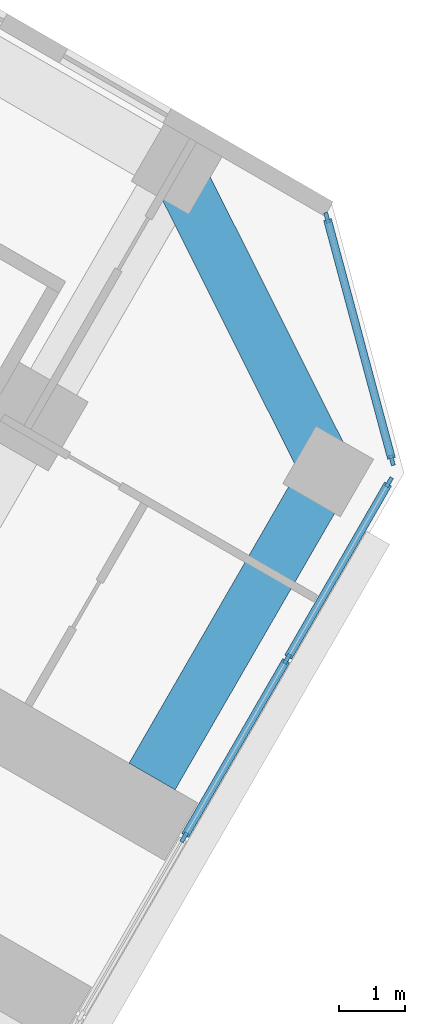
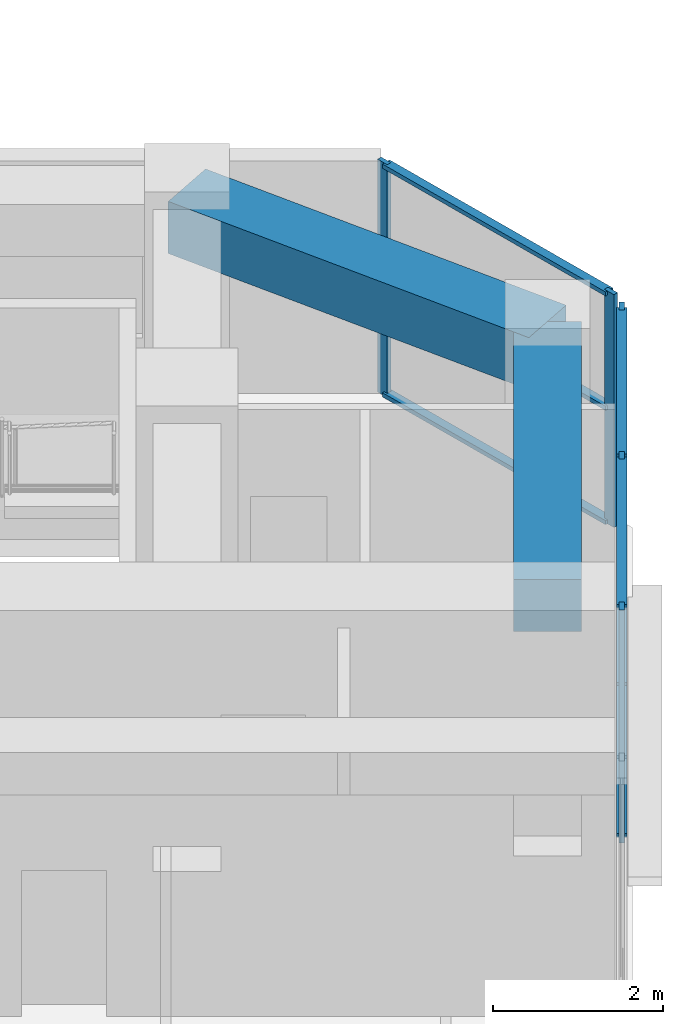
# One storey, part 8 of 21: 12 members, 2 beams, 2 elements without a shape of their own.
"""IFC4 building model written with IfcOpenShell, lengths in metres."""

import ifcopenshell
import ifcopenshell.guid

model = None  # the IFC model being written
_history = None  # IfcOwnerHistory: only IFC2X3 demands one
_inside = {}  # id of a spatial element -> (the spatial element, [elements in it])
_under = {}  # id of a project, library or spatial element -> (it, [spatial elements below it])
_declared = {}  # id of a project -> (the project, [libraries it declares])
_typed = {}  # id of a type object -> (the type object, [elements of that type])
_made_of = {}  # id of a material, layer set ... -> (it, [elements and type objects made of it])


def new_model(schema):
    """Start an empty IFC model of exactly this schema.

    Asked for "IFC4X3", IfcOpenShell would pick the latest addendum, in which some entities
    have other attributes; the version numbers below select the first issue.
    IFC2X3 requires an IfcOwnerHistory on every rooted entity: one is made here for all.
    """
    global model, _history
    if schema == "IFC4X3":
        model = ifcopenshell.file(schema_version=(4, 3, 0, 0))
    else:
        model = ifcopenshell.file(schema=schema)
    _inside.clear()
    _under.clear()
    _declared.clear()
    _typed.clear()
    _made_of.clear()
    _history = None
    if model.schema == "IFC2X3":
        org = make("IfcOrganization", Name="unknown")
        user = make(
            "IfcPersonAndOrganization",
            ThePerson=make("IfcPerson", FamilyName="unknown"),
            TheOrganization=org,
        )
        app = make(
            "IfcApplication",
            ApplicationDeveloper=org,
            Version="unknown",
            ApplicationFullName="unknown",
            ApplicationIdentifier="unknown",
        )
        _history = make(
            "IfcOwnerHistory",
            OwningUser=user,
            OwningApplication=app,
            ChangeAction="ADDED",
            CreationDate=0,
        )
    return model


def make(cls, **values):
    """One entity of the class cls with the attributes given. An attribute that is None is left unset."""
    return model.create_entity(
        cls, **{name: value for name, value in values.items() if value is not None}
    )


def rooted(cls, **values):
    """An entity with a GlobalId (a new one), such as an element, a storey or a relation."""
    return make(cls, GlobalId=ifcopenshell.guid.new(), OwnerHistory=_history, **values)


def si_unit(unit_type, name, prefix=None):
    """IfcSIUnit, for example si_unit("LENGTHUNIT", "METRE", prefix="MILLI")."""
    return make("IfcSIUnit", UnitType=unit_type, Prefix=prefix, Name=name)


def assignment(units):
    """IfcUnitAssignment: the units of a project."""
    return None if units is None else make("IfcUnitAssignment", Units=units)


def point(xyz):
    """IfcCartesianPoint."""
    return None if xyz is None else make("IfcCartesianPoint", Coordinates=xyz)


def direction(xyz):
    """IfcDirection."""
    return None if xyz is None else make("IfcDirection", DirectionRatios=xyz)


def frame(location, z_axis=None, x_axis=None):
    """IfcAxis2Placement3D, a coordinate frame: its origin and axes. An axis left out is left unset."""
    return make(
        "IfcAxis2Placement3D",
        Location=point(location),
        Axis=direction(z_axis),
        RefDirection=direction(x_axis),
    )


def frame_2d(location, x_axis=None):
    """IfcAxis2Placement2D, a coordinate frame in the plane: its origin and x axis."""
    return make(
        "IfcAxis2Placement2D", Location=point(location), RefDirection=direction(x_axis)
    )


def origin():
    """The frame at (0, 0, 0) with its axes left unset."""
    return frame((0.0, 0.0, 0.0))


def origin_2d():
    """The frame at (0, 0) in the plane with its x axis left unset."""
    return frame_2d((0.0, 0.0))


def place(relative_to, where):
    """IfcLocalPlacement: puts the frame where relative to a parent placement (None: the world)."""
    return make(
        "IfcLocalPlacement", PlacementRelTo=relative_to, RelativePlacement=where
    )


def context(
    kind, dimensions, precision=None, world=None, true_north=None, identifier=None
):
    """IfcGeometricRepresentationContext, for example the 3D "Model" context."""
    return make(
        "IfcGeometricRepresentationContext",
        ContextIdentifier=identifier,
        ContextType=kind,
        CoordinateSpaceDimension=dimensions,
        Precision=precision,
        WorldCoordinateSystem=world,
        TrueNorth=true_north,
    )


def subcontext(parent, identifier, kind, view, scale=None):
    """IfcGeometricRepresentationSubContext, for example "Body" below "Model"."""
    return make(
        "IfcGeometricRepresentationSubContext",
        ContextIdentifier=identifier,
        ContextType=kind,
        ParentContext=parent,
        TargetScale=scale,
        TargetView=view,
    )


def project(units=None, contexts=None):
    """IfcProject with its units and contexts."""
    return rooted(
        "IfcProject",
        Name="project",
        RepresentationContexts=contexts,
        UnitsInContext=assignment(units),
    )


def spatial(cls, under=None, at=None, **own):
    """A site, building, storey or space (cls), placed at a placement, below another one or the project."""
    s = rooted(cls, ObjectPlacement=at, **own)
    if under is not None:
        _under.setdefault(under.id(), (under, []))[1].append(s)
    return s


def profile(cls, at=None, kind="AREA", **sizes):
    """A parametric profile (cls). Its sizes go by their IFC names, for example OverallWidth=200.0."""
    return make(cls, ProfileType=kind, Position=at, **sizes)


def rectangle(**sizes):
    """IfcRectangleProfileDef."""
    return profile("IfcRectangleProfileDef", **sizes)


def extrude(swept, where, along, depth):
    """IfcExtrudedAreaSolid: the profile swept, set in the frame where, extruded along a direction by depth."""
    return make(
        "IfcExtrudedAreaSolid",
        SweptArea=swept,
        Position=where,
        ExtrudedDirection=direction(along),
        Depth=depth,
    )


def shape(context_of_items, identifier, shape_type, items):
    """IfcShapeRepresentation: the items that make up one representation, for example the "Body"."""
    return make(
        "IfcShapeRepresentation",
        ContextOfItems=context_of_items,
        RepresentationIdentifier=identifier,
        RepresentationType=shape_type,
        Items=items,
    )


def material(Name=None, Category=None):
    """IfcMaterial."""
    return make("IfcMaterial", Name=Name, Category=Category)


def material_profile(
    of_material, cross_section, Name=None, Category=None, Priority=None
):
    """IfcMaterialProfile: a cross section and its material."""
    return make(
        "IfcMaterialProfile",
        Name=Name,
        Material=of_material,
        Profile=cross_section,
        Priority=Priority,
        Category=Category,
    )


def profile_set(profiles, Name=None, composite=None):
    """IfcMaterialProfileSet."""
    return make(
        "IfcMaterialProfileSet",
        Name=Name,
        MaterialProfiles=profiles,
        CompositeProfile=composite,
    )


def made_of(thing, what):
    """Note that an element or type object is made of a material, layer set ...; save() writes the relation."""
    if what is not None:
        _made_of.setdefault(what.id(), (what, []))[1].append(thing)
    return thing


def type_object(cls, material=None, **own):
    """A type object (cls), such as IfcWallType, which elements share."""
    return made_of(rooted(cls, **own), material)


def element(
    cls,
    number,
    at=None,
    inside=None,
    cuts=None,
    type_object=None,
    material=None,
    context=None,
    identifier="Body",
    shape_type=None,
    held_by="IfcProductDefinitionShape",
    body=None,
    shapes=None,
    **own,
):
    """One element of the class cls, such as IfcWall. Its Tag is "e" and its number.

    at: its placement. inside: the storey or other place that contains it. cuts: it is an
    opening in that element (IfcRelVoidsElement). A single representation is given by context,
    identifier, shape_type and body (its items); several are given by shapes. held_by: the class
    of the entity that holds the representations. save() writes the other relations.
    """
    e = rooted(cls, Tag="e%d" % number, ObjectPlacement=at, **own)
    if body is not None:
        shapes = [shape(context, identifier, shape_type, body)]
    if shapes is not None:
        e.Representation = make(held_by, Representations=shapes)
    if inside is not None:
        _inside.setdefault(inside.id(), (inside, []))[1].append(e)
    if cuts is not None:
        rooted(
            "IfcRelVoidsElement", RelatingBuildingElement=cuts, RelatedOpeningElement=e
        )
    if type_object is not None:
        _typed.setdefault(type_object.id(), (type_object, []))[1].append(e)
    return made_of(e, material)


def aggregate(whole, parts):
    """IfcRelAggregates: a whole, such as a stair, and the parts it consists of."""
    return rooted("IfcRelAggregates", RelatingObject=whole, RelatedObjects=parts)


def save(model, path):
    """Write the relations noted so far, then the file.

    IfcRelAggregates (storeys below a building ...), IfcRelContainedInSpatialStructure (elements
    in a storey), IfcRelDefinesByType, IfcRelAssociatesMaterial and IfcRelDeclares: one each for
    every whole, place, type object, material and project.
    """
    for whole, parts in _under.values():
        aggregate(whole, parts)
    for where, things in _inside.values():
        rooted(
            "IfcRelContainedInSpatialStructure",
            RelatedElements=things,
            RelatingStructure=where,
        )
    for kind, things in _typed.values():
        rooted("IfcRelDefinesByType", RelatedObjects=things, RelatingType=kind)
    for what, things in _made_of.values():
        rooted("IfcRelAssociatesMaterial", RelatedObjects=things, RelatingMaterial=what)
    for by, libraries in _declared.values():
        rooted("IfcRelDeclares", RelatingContext=by, RelatedDefinitions=libraries)
    model.write(path)


model = new_model("IFC4")

# Units and contexts
model_context = context("Model", 3, precision=1e-05, world=origin(), true_north=direction((0.0, 1.0)))
body_context = subcontext(model_context, "Body", "Model", "MODEL_VIEW")
ifc_project = project(units=[si_unit("LENGTHUNIT", "METRE"), si_unit("AREAUNIT", "SQUARE_METRE"), si_unit("VOLUMEUNIT", "CUBIC_METRE"), si_unit("PLANEANGLEUNIT", "RADIAN"), si_unit("MASSUNIT", "GRAM", prefix="KILO")], contexts=[model_context])

# Site, building, storey
site_placement = place(None, origin())
site = spatial("IfcSite", under=ifc_project, at=site_placement, CompositionType="ELEMENT")
building_placement = place(site_placement, origin())
building = spatial("IfcBuilding", under=site, at=building_placement, Name="Kosmar Iwan School Tower", CompositionType="ELEMENT")
storey_placement = place(building_placement, frame((0.0, 0.0, 64.60009765625)))
storey = spatial("IfcBuildingStorey", under=building, at=storey_placement, Name="L15", CompositionType="ELEMENT", Elevation=64.60009765625)

# Curtain wall, members
ifc_material_1 = material(Name="Dark glass in black aluminium frame", Category="aluminium")
curtain_wall_type_1 = type_object("IfcCurtainWallType", Name="Tower curtain wall dark glass", PredefinedType="USERDEFINED", material=ifc_material_1)
curtain_wall_1_placement = place(storey_placement, origin())
curtain_wall_1 = element("IfcCurtainWall", 1, at=curtain_wall_1_placement, inside=storey, type_object=curtain_wall_type_1, Name="Curtain wall L15-F03", ObjectType="UNITISED CURTAIN WALL", PredefinedType="USERDEFINED")
ifc_material_2 = material(Name="Black anodised aluminium", Category="aluminium")
ifc_material_profile_1 = material_profile(ifc_material_2, rectangle(XDim=0.06005859375, YDim=0.159912109375, at=origin_2d()), Name="MULLION 60x160")
ifc_profile_set_1 = profile_set([ifc_material_profile_1], Name="Black anodised aluminium")
member_type_1 = type_object("IfcMemberType", Name="Mullion 60x160", PredefinedType="MULLION", material=ifc_profile_set_1)
member_1_placement = place(storey_placement, frame((30.631103515625, -15.8955078125, 0.0), z_axis=(0.0, 0.0, 1.0), x_axis=(-0.866025405329, 0.499999997325, 0.0)))
member_1 = element("IfcMember", 2, at=member_1_placement, type_object=member_type_1, Name="CW1 mullion 4", PredefinedType="MULLION", context=body_context, shape_type="SweptSolid", body=[
    extrude(rectangle(XDim=0.06005859375, YDim=0.159912109375, at=origin_2d()), origin(), (0.0, 0.0, 1.0), 3.349853515625),
])
member_2_placement = place(storey_placement, frame((32.1806640625, -13.21142578125, 0.0), z_axis=(0.0, 0.0, 1.0), x_axis=(-0.866025405329, 0.499999997325, 0.0)))
member_2 = element("IfcMember", 3, at=member_2_placement, type_object=member_type_1, Name="CW1 mullion 5", PredefinedType="MULLION", context=body_context, shape_type="SweptSolid", body=[
    extrude(rectangle(XDim=0.06005859375, YDim=0.159912109375, at=origin_2d()), origin(), (0.0, 0.0, 1.0), 3.349853515625),
])
member_3_placement = place(storey_placement, frame((33.71533203125, -10.55322265625, 0.0), z_axis=(0.0, 0.0, 1.0), x_axis=(-0.866025405329, 0.499999997325, 0.0)))
member_3 = element("IfcMember", 4, at=member_3_placement, type_object=member_type_1, Name="CW1 mullion 6", PredefinedType="MULLION", context=body_context, shape_type="SweptSolid", body=[
    extrude(rectangle(XDim=0.06005859375, YDim=0.159912109375, at=origin_2d()), origin(), (0.0, 0.0, 1.0), 3.349853515625),
])

ifc_material_3 = material(Name="Dark glass in black aluminium frame", Category="aluminium")
curtain_wall_type_2 = type_object("IfcCurtainWallType", Name="Chamfer curtain wall dark glass", PredefinedType="USERDEFINED", material=ifc_material_3)
curtain_wall_2_placement = place(storey_placement, origin())
curtain_wall_2 = element("IfcCurtainWall", 5, at=curtain_wall_2_placement, inside=storey, type_object=curtain_wall_type_2, Name="Curtain wall L15-F04", ObjectType="FACETED CURTAIN WALL", PredefinedType="USERDEFINED")
member_4_placement = place(storey_placement, frame((33.7587890625, -10.2236328125, 0.0), z_axis=(0.0, 0.0, 1.0), x_axis=(-0.965925875495, -0.258818861462, 0.0)))
member_4 = element("IfcMember", 6, at=member_4_placement, type_object=member_type_1, Name="CW2 mullion 1", PredefinedType="MULLION", context=body_context, shape_type="SweptSolid", body=[
    extrude(rectangle(XDim=0.06005859375, YDim=0.159912109375, at=origin_2d()), origin(), (0.0, 0.0, 1.0), 3.349853515625),
])
member_5_placement = place(storey_placement, frame((32.78076171875, -6.5732421875, 0.0), z_axis=(0.0, 0.0, 1.0), x_axis=(-0.965925875495, -0.258818861462, 0.0)))
member_5 = element("IfcMember", 7, at=member_5_placement, type_object=member_type_1, Name="CW2 mullion 2", PredefinedType="MULLION", context=body_context, shape_type="SweptSolid", body=[
    extrude(rectangle(XDim=0.06005859375, YDim=0.159912109375, at=origin_2d()), origin(), (0.0, 0.0, 1.0), 3.349853515625),
])

# Beams
ifc_material_4 = material(Name="Concrete C50/60", Category="concrete")
ifc_material_profile_2 = material_profile(ifc_material_4, rectangle(XDim=0.800048828125, YDim=0.75, at=origin_2d()), Name="RC 800x750")
ifc_profile_set_2 = profile_set([ifc_material_profile_2], Name="Concrete C50/60")
beam_type = type_object("IfcBeamType", Name="RC tip beam 800x750", PredefinedType="BEAM", material=ifc_profile_set_2)
beam_1_placement = place(storey_placement, frame((30.517822265625, -5.841552734375, 2.974853515625), z_axis=(0.44809604203, -0.893985423325, 0.0), x_axis=(0.893985423325, 0.44809604203, 0.0)))
element("IfcBeam", 8, at=beam_1_placement, inside=storey, type_object=beam_type, Name="Tip beam CL", PredefinedType="BEAM", context=body_context, shape_type="SweptSolid", body=[
    extrude(rectangle(XDim=0.800048828125, YDim=0.75, at=origin_2d()), origin(), (0.0, 0.0, 1.0), 5.08935546875),
])
beam_2_placement = place(storey_placement, frame((32.79833984375, -10.391357421875, 2.974853515625), z_axis=(-0.499973660256, -0.866040610509, 0.0), x_axis=(0.866040610509, -0.499973660256, 0.0)))
element("IfcBeam", 9, at=beam_2_placement, inside=storey, type_object=beam_type, Name="Tip beam CL to corridor wall", PredefinedType="BEAM", context=body_context, shape_type="SweptSolid", body=[
    extrude(rectangle(XDim=0.800048828125, YDim=0.75, at=origin_2d()), origin(), (0.0, 0.0, 1.0), 5.300048828125),
])

# Member
ifc_material_5 = material(Name="Black anodised aluminium", Category="aluminium")
ifc_material_profile_3 = material_profile(ifc_material_5, rectangle(XDim=0.1201171875, YDim=0.06005859375, at=origin_2d()), Name="TRANSOM 60x120")
ifc_profile_set_3 = profile_set([ifc_material_profile_3], Name="Black anodised aluminium")
member_type_2 = type_object("IfcMemberType", Name="Transom 60x120", PredefinedType="USERDEFINED", material=ifc_profile_set_3)
member_6_placement = place(storey_placement, frame((30.64599609375, -15.869384765625, 0.02978515625), z_axis=(0.500035348339, 0.866004994449, 0.0), x_axis=(-0.866004994449, 0.500035348339, 0.0)))
member_6 = element("IfcMember", 10, at=member_6_placement, type_object=member_type_2, Name="CW1 transom 4.1", ObjectType="TRANSOM", PredefinedType="USERDEFINED", context=body_context, shape_type="SweptSolid", body=[
    extrude(rectangle(XDim=0.1201171875, YDim=0.06005859375, at=origin_2d()), origin(), (0.0, 0.0, 1.0), 3.039306640625),
])

member_7_placement = place(storey_placement, frame((30.64599609375, -15.869384765625, 3.31982421875), z_axis=(0.500035348339, 0.866004994449, 0.0), x_axis=(-0.866004994449, 0.500035348339, 0.0)))
member_7 = element("IfcMember", 11, at=member_7_placement, type_object=member_type_2, Name="CW1 transom 4.2", ObjectType="TRANSOM", PredefinedType="USERDEFINED", context=body_context, shape_type="SweptSolid", body=[
    extrude(rectangle(XDim=0.1201171875, YDim=0.06005859375, at=origin_2d()), origin(), (0.0, 0.0, 1.0), 3.039306640625),
])

member_8_placement = place(storey_placement, frame((32.19580078125, -13.185302734375, 0.02978515625), z_axis=(0.500022102064, 0.866012642776, 0.0), x_axis=(-0.866012642776, 0.500022102064, 0.0)))
member_8 = element("IfcMember", 12, at=member_8_placement, type_object=member_type_2, Name="CW1 transom 5.1", ObjectType="TRANSOM", PredefinedType="USERDEFINED", context=body_context, shape_type="SweptSolid", body=[
    extrude(rectangle(XDim=0.1201171875, YDim=0.06005859375, at=origin_2d()), origin(), (0.0, 0.0, 1.0), 3.009033203125),
])

member_9_placement = place(storey_placement, frame((32.19580078125, -13.185302734375, 3.31982421875), z_axis=(0.500022102064, 0.866012642776, 0.0), x_axis=(-0.866012642776, 0.500022102064, 0.0)))
member_9 = element("IfcMember", 13, at=member_9_placement, type_object=member_type_2, Name="CW1 transom 5.2", ObjectType="TRANSOM", PredefinedType="USERDEFINED", context=body_context, shape_type="SweptSolid", body=[
    extrude(rectangle(XDim=0.1201171875, YDim=0.06005859375, at=origin_2d()), origin(), (0.0, 0.0, 1.0), 3.009033203125),
])

aggregate(curtain_wall_1, [member_1, member_2, member_3, member_6, member_7, member_8, member_9])

member_10_placement = place(storey_placement, frame((33.7509765625, -10.194580078125, 0.02978515625), z_axis=(-0.258843273983, 0.965919333854, 0.0), x_axis=(-0.965919333854, -0.258843273983, 0.0)))
member_10 = element("IfcMember", 14, at=member_10_placement, type_object=member_type_2, Name="CW2 transom 1.1", ObjectType="TRANSOM", PredefinedType="USERDEFINED", context=body_context, shape_type="SweptSolid", body=[
    extrude(rectangle(XDim=0.1201171875, YDim=0.06005859375, at=origin_2d()), origin(), (0.0, 0.0, 1.0), 3.718994140625),
])

member_11_placement = place(storey_placement, frame((33.7509765625, -10.194580078125, 1.6748046875), z_axis=(-0.258843273983, 0.965919333854, 0.0), x_axis=(-0.965919333854, -0.258843273983, 0.0)))
member_11 = element("IfcMember", 15, at=member_11_placement, type_object=member_type_2, Name="CW2 transom 1.2", ObjectType="TRANSOM", PredefinedType="USERDEFINED", context=body_context, shape_type="SweptSolid", body=[
    extrude(rectangle(XDim=0.1201171875, YDim=0.06005859375, at=origin_2d()), origin(), (0.0, 0.0, 1.0), 3.718994140625),
])

member_12_placement = place(storey_placement, frame((33.7509765625, -10.194580078125, 3.31982421875), z_axis=(-0.258843273983, 0.965919333854, 0.0), x_axis=(-0.965919333854, -0.258843273983, 0.0)))
member_12 = element("IfcMember", 16, at=member_12_placement, type_object=member_type_2, Name="CW2 transom 1.3", ObjectType="TRANSOM", PredefinedType="USERDEFINED", context=body_context, shape_type="SweptSolid", body=[
    extrude(rectangle(XDim=0.1201171875, YDim=0.06005859375, at=origin_2d()), origin(), (0.0, 0.0, 1.0), 3.718994140625),
])

aggregate(curtain_wall_2, [member_4, member_5, member_10, member_11, member_12])

save(model, "model.ifc")
